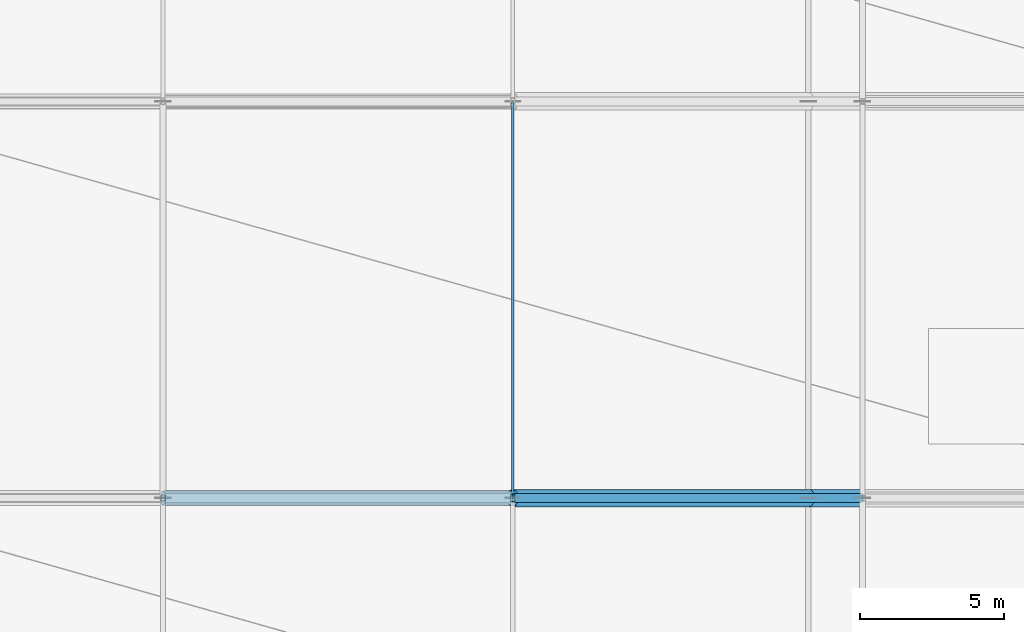
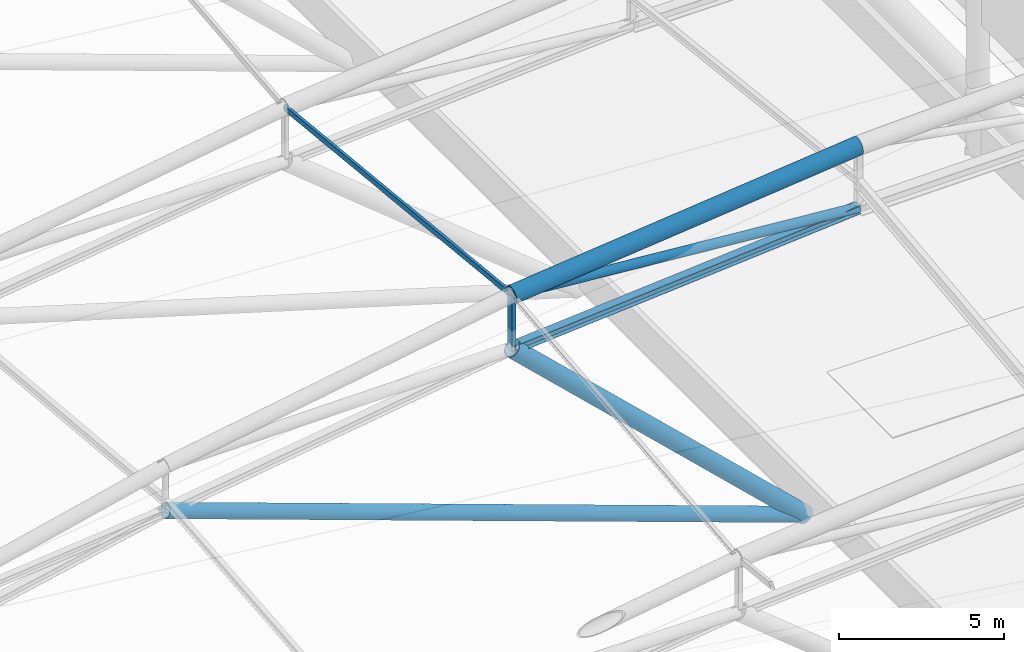
# One storey, part 42 of 113: 7 members.
"""IFC4 building model written with IfcOpenShell, lengths in metres."""

import ifcopenshell
import ifcopenshell.guid

model = None  # the IFC model being written
_history = None  # IfcOwnerHistory: only IFC2X3 demands one
_inside = {}  # id of a spatial element -> (the spatial element, [elements in it])
_under = {}  # id of a project, library or spatial element -> (it, [spatial elements below it])
_declared = {}  # id of a project -> (the project, [libraries it declares])
_typed = {}  # id of a type object -> (the type object, [elements of that type])
_made_of = {}  # id of a material, layer set ... -> (it, [elements and type objects made of it])


def new_model(schema):
    """Start an empty IFC model of exactly this schema.

    Asked for "IFC4X3", IfcOpenShell would pick the latest addendum, in which some entities
    have other attributes; the version numbers below select the first issue.
    IFC2X3 requires an IfcOwnerHistory on every rooted entity: one is made here for all.
    """
    global model, _history
    if schema == "IFC4X3":
        model = ifcopenshell.file(schema_version=(4, 3, 0, 0))
    else:
        model = ifcopenshell.file(schema=schema)
    _inside.clear()
    _under.clear()
    _declared.clear()
    _typed.clear()
    _made_of.clear()
    _history = None
    if model.schema == "IFC2X3":
        org = make("IfcOrganization", Name="unknown")
        user = make(
            "IfcPersonAndOrganization",
            ThePerson=make("IfcPerson", FamilyName="unknown"),
            TheOrganization=org,
        )
        app = make(
            "IfcApplication",
            ApplicationDeveloper=org,
            Version="unknown",
            ApplicationFullName="unknown",
            ApplicationIdentifier="unknown",
        )
        _history = make(
            "IfcOwnerHistory",
            OwningUser=user,
            OwningApplication=app,
            ChangeAction="ADDED",
            CreationDate=0,
        )
    return model


def make(cls, **values):
    """One entity of the class cls with the attributes given. An attribute that is None is left unset."""
    return model.create_entity(
        cls, **{name: value for name, value in values.items() if value is not None}
    )


def rooted(cls, **values):
    """An entity with a GlobalId (a new one), such as an element, a storey or a relation."""
    return make(cls, GlobalId=ifcopenshell.guid.new(), OwnerHistory=_history, **values)


def si_unit(unit_type, name, prefix=None):
    """IfcSIUnit, for example si_unit("LENGTHUNIT", "METRE", prefix="MILLI")."""
    return make("IfcSIUnit", UnitType=unit_type, Prefix=prefix, Name=name)


def assignment(units):
    """IfcUnitAssignment: the units of a project."""
    return None if units is None else make("IfcUnitAssignment", Units=units)


def point(xyz):
    """IfcCartesianPoint."""
    return None if xyz is None else make("IfcCartesianPoint", Coordinates=xyz)


def direction(xyz):
    """IfcDirection."""
    return None if xyz is None else make("IfcDirection", DirectionRatios=xyz)


def frame(location, z_axis=None, x_axis=None):
    """IfcAxis2Placement3D, a coordinate frame: its origin and axes. An axis left out is left unset."""
    return make(
        "IfcAxis2Placement3D",
        Location=point(location),
        Axis=direction(z_axis),
        RefDirection=direction(x_axis),
    )


def frame_2d(location, x_axis=None):
    """IfcAxis2Placement2D, a coordinate frame in the plane: its origin and x axis."""
    return make(
        "IfcAxis2Placement2D", Location=point(location), RefDirection=direction(x_axis)
    )


def origin():
    """The frame at (0, 0, 0) with its axes left unset."""
    return frame((0.0, 0.0, 0.0))


def origin_2d():
    """The frame at (0, 0) in the plane with its x axis left unset."""
    return frame_2d((0.0, 0.0))


def place(relative_to, where):
    """IfcLocalPlacement: puts the frame where relative to a parent placement (None: the world)."""
    return make(
        "IfcLocalPlacement", PlacementRelTo=relative_to, RelativePlacement=where
    )


def context(
    kind, dimensions, precision=None, world=None, true_north=None, identifier=None
):
    """IfcGeometricRepresentationContext, for example the 3D "Model" context."""
    return make(
        "IfcGeometricRepresentationContext",
        ContextIdentifier=identifier,
        ContextType=kind,
        CoordinateSpaceDimension=dimensions,
        Precision=precision,
        WorldCoordinateSystem=world,
        TrueNorth=true_north,
    )


def subcontext(parent, identifier, kind, view, scale=None):
    """IfcGeometricRepresentationSubContext, for example "Body" below "Model"."""
    return make(
        "IfcGeometricRepresentationSubContext",
        ContextIdentifier=identifier,
        ContextType=kind,
        ParentContext=parent,
        TargetScale=scale,
        TargetView=view,
    )


def project(units=None, contexts=None):
    """IfcProject with its units and contexts."""
    return rooted(
        "IfcProject",
        Name="project",
        RepresentationContexts=contexts,
        UnitsInContext=assignment(units),
    )


def spatial(cls, under=None, at=None, **own):
    """A site, building, storey or space (cls), placed at a placement, below another one or the project."""
    s = rooted(cls, ObjectPlacement=at, **own)
    if under is not None:
        _under.setdefault(under.id(), (under, []))[1].append(s)
    return s


def profile(cls, at=None, kind="AREA", **sizes):
    """A parametric profile (cls). Its sizes go by their IFC names, for example OverallWidth=200.0."""
    return make(cls, ProfileType=kind, Position=at, **sizes)


def hollow_rectangle(**sizes):
    """IfcRectangleHollowProfileDef."""
    return profile("IfcRectangleHollowProfileDef", **sizes)


def hollow_circle(**sizes):
    """IfcCircleHollowProfileDef."""
    return profile("IfcCircleHollowProfileDef", **sizes)


def i_section(**sizes):
    """IfcIShapeProfileDef."""
    return profile("IfcIShapeProfileDef", **sizes)


def extrude(swept, where, along, depth):
    """IfcExtrudedAreaSolid: the profile swept, set in the frame where, extruded along a direction by depth."""
    return make(
        "IfcExtrudedAreaSolid",
        SweptArea=swept,
        Position=where,
        ExtrudedDirection=direction(along),
        Depth=depth,
    )


def shape(context_of_items, identifier, shape_type, items):
    """IfcShapeRepresentation: the items that make up one representation, for example the "Body"."""
    return make(
        "IfcShapeRepresentation",
        ContextOfItems=context_of_items,
        RepresentationIdentifier=identifier,
        RepresentationType=shape_type,
        Items=items,
    )


def material(Name=None, Category=None):
    """IfcMaterial."""
    return make("IfcMaterial", Name=Name, Category=Category)


def material_profile(
    of_material, cross_section, Name=None, Category=None, Priority=None
):
    """IfcMaterialProfile: a cross section and its material."""
    return make(
        "IfcMaterialProfile",
        Name=Name,
        Material=of_material,
        Profile=cross_section,
        Priority=Priority,
        Category=Category,
    )


def profile_set(profiles, Name=None, composite=None):
    """IfcMaterialProfileSet."""
    return make(
        "IfcMaterialProfileSet",
        Name=Name,
        MaterialProfiles=profiles,
        CompositeProfile=composite,
    )


def made_of(thing, what):
    """Note that an element or type object is made of a material, layer set ...; save() writes the relation."""
    if what is not None:
        _made_of.setdefault(what.id(), (what, []))[1].append(thing)
    return thing


def type_object(cls, material=None, **own):
    """A type object (cls), such as IfcWallType, which elements share."""
    return made_of(rooted(cls, **own), material)


def element(
    cls,
    number,
    at=None,
    inside=None,
    cuts=None,
    type_object=None,
    material=None,
    context=None,
    identifier="Body",
    shape_type=None,
    held_by="IfcProductDefinitionShape",
    body=None,
    shapes=None,
    **own,
):
    """One element of the class cls, such as IfcWall. Its Tag is "e" and its number.

    at: its placement. inside: the storey or other place that contains it. cuts: it is an
    opening in that element (IfcRelVoidsElement). A single representation is given by context,
    identifier, shape_type and body (its items); several are given by shapes. held_by: the class
    of the entity that holds the representations. save() writes the other relations.
    """
    e = rooted(cls, Tag="e%d" % number, ObjectPlacement=at, **own)
    if body is not None:
        shapes = [shape(context, identifier, shape_type, body)]
    if shapes is not None:
        e.Representation = make(held_by, Representations=shapes)
    if inside is not None:
        _inside.setdefault(inside.id(), (inside, []))[1].append(e)
    if cuts is not None:
        rooted(
            "IfcRelVoidsElement", RelatingBuildingElement=cuts, RelatedOpeningElement=e
        )
    if type_object is not None:
        _typed.setdefault(type_object.id(), (type_object, []))[1].append(e)
    return made_of(e, material)


def aggregate(whole, parts):
    """IfcRelAggregates: a whole, such as a stair, and the parts it consists of."""
    return rooted("IfcRelAggregates", RelatingObject=whole, RelatedObjects=parts)


def save(model, path):
    """Write the relations noted so far, then the file.

    IfcRelAggregates (storeys below a building ...), IfcRelContainedInSpatialStructure (elements
    in a storey), IfcRelDefinesByType, IfcRelAssociatesMaterial and IfcRelDeclares: one each for
    every whole, place, type object, material and project.
    """
    for whole, parts in _under.values():
        aggregate(whole, parts)
    for where, things in _inside.values():
        rooted(
            "IfcRelContainedInSpatialStructure",
            RelatedElements=things,
            RelatingStructure=where,
        )
    for kind, things in _typed.values():
        rooted("IfcRelDefinesByType", RelatedObjects=things, RelatingType=kind)
    for what, things in _made_of.values():
        rooted("IfcRelAssociatesMaterial", RelatedObjects=things, RelatingMaterial=what)
    for by, libraries in _declared.values():
        rooted("IfcRelDeclares", RelatingContext=by, RelatedDefinitions=libraries)
    model.write(path)


model = new_model("IFC4")

# Units and contexts
model_context = context("Model", 3, precision=1e-05, world=origin(), true_north=direction((0.0, 1.0)))
body_context = subcontext(model_context, "Body", "Model", "MODEL_VIEW")
ifc_project = project(units=[si_unit("LENGTHUNIT", "METRE"), si_unit("AREAUNIT", "SQUARE_METRE"), si_unit("VOLUMEUNIT", "CUBIC_METRE"), si_unit("PLANEANGLEUNIT", "RADIAN"), si_unit("MASSUNIT", "GRAM", prefix="KILO")], contexts=[model_context])

# Site, building, storey
site_placement = place(None, origin())
site = spatial("IfcSite", under=ifc_project, at=site_placement, CompositionType="ELEMENT")
building_placement = place(site_placement, origin())
building = spatial("IfcBuilding", under=site, at=building_placement, Name="Linyun Crest Stadium", CompositionType="ELEMENT")
storey_placement = place(building_placement, frame((0.0, 0.0, 26.39990234375)))
storey = spatial("IfcBuildingStorey", under=building, at=storey_placement, Name="L06", CompositionType="ELEMENT", Elevation=26.39990234375)

# Members
ifc_material_1 = material(Name="Steel Q355C", Category="steel")
ifc_material_profile_1 = material_profile(ifc_material_1, hollow_rectangle(XDim=0.10009765625, YDim=0.199951171875, WallThickness=0.008056640625, at=origin_2d()), Name="RHS 200x100x8")
ifc_profile_set_1 = profile_set([ifc_material_profile_1], Name="Steel Q355C")
member_type_1 = type_object("IfcMemberType", Name="AR02", PredefinedType="USERDEFINED", material=ifc_profile_set_1)
member_1_placement = place(storey_placement, frame((59.75, 2.125, 11.502197265625), z_axis=(0.0, 0.994834033314, -0.101514758336), x_axis=(-1.0, 0.0, 0.0)))
element("IfcMember", 1, at=member_1_placement, inside=storey, type_object=member_type_1, Name="Art Nouveau canopy arch rib AR02 V2 352", ObjectType="ARCH RIB", PredefinedType="USERDEFINED", context=body_context, shape_type="SweptSolid", body=[
    extrude(hollow_rectangle(XDim=0.10009765625, YDim=0.199951171875, WallThickness=0.008056640625, at=origin_2d()), origin(), (0.0, 0.0, 1.0), 13.8212890625),
])
ifc_material_2 = material(Name="Steel Q420C", Category="steel")
ifc_material_profile_2 = material_profile(ifc_material_2, hollow_circle(Radius=0.25390625, WallThickness=0.02490234375, at=origin_2d()), Name="CHS 508x25")
ifc_profile_set_2 = profile_set([ifc_material_profile_2], Name="Steel Q420C")
member_type_2 = type_object("IfcMemberType", Name="TC01", PredefinedType="CHORD", material=ifc_profile_set_2)
member_2_placement = place(storey_placement, frame((70.0, 2.125, -0.21484375), z_axis=(-0.941915713226, 0.0, 0.335849354888), x_axis=(0.0, -1.0, 0.0)))
element("IfcMember", 2, at=member_2_placement, inside=storey, type_object=member_type_2, Name="Roof arch forward V-strut TC01 V2 275", PredefinedType="CHORD", context=body_context, shape_type="SweptSolid", body=[
    extrude(hollow_circle(Radius=0.25390625, WallThickness=0.02490234375, at=origin_2d()), origin(), (0.0, 0.0, 1.0), 23.7548828125),
])
ifc_material_3 = material(Name="Steel Q420C", Category="steel")
ifc_material_profile_3 = material_profile(ifc_material_3, hollow_circle(Radius=0.304931640625, WallThickness=0.030029296875, at=origin_2d()), Name="CHS 610x30")
ifc_profile_set_3 = profile_set([ifc_material_profile_3], Name="Steel Q420C")
member_type_3 = type_object("IfcMemberType", Name="TC02", PredefinedType="CHORD", material=ifc_profile_set_3)
member_3_placement = place(storey_placement, frame((71.875, 2.125, 12.776123046875), z_axis=(-0.99452584315, 0.0, -0.104490895811), x_axis=(0.0, -1.0, 0.0)))
element("IfcMember", 3, at=member_3_placement, inside=storey, type_object=member_type_3, Name="Roof truss top chord TC02 V2 262", PredefinedType="CHORD", context=body_context, shape_type="SweptSolid", body=[
    extrude(hollow_circle(Radius=0.304931640625, WallThickness=0.030029296875, at=origin_2d()), origin(), (0.0, 0.0, 1.0), 12.191650390625),
])
member_4_placement = place(storey_placement, frame((70.0, 2.125, -0.21484375), z_axis=(-0.724876997796, 0.0, 0.688878318766), x_axis=(0.0, -1.0, 0.0)))
element("IfcMember", 4, at=member_4_placement, inside=storey, type_object=member_type_3, Name="Roof arch inclined support strut TC02 V2 274", PredefinedType="CHORD", context=body_context, shape_type="SweptSolid", body=[
    extrude(hollow_circle(Radius=0.304931640625, WallThickness=0.030029296875, at=origin_2d()), origin(), (0.0, 0.0, 1.0), 14.140380859375),
])
ifc_material_4 = material(Name="Steel Q355C", Category="steel")
ifc_material_profile_4 = material_profile(ifc_material_4, i_section(OverallWidth=0.300048828125, OverallDepth=0.300048828125, WebThickness=0.010009765625, FlangeThickness=0.014892578125, at=origin_2d()), Name="HW 300x300")
ifc_profile_set_4 = profile_set([ifc_material_profile_4], Name="Steel Q355C")
member_type_4 = type_object("IfcMemberType", Name="TC03", PredefinedType="CHORD", material=ifc_profile_set_4)
member_5_placement = place(storey_placement, frame((71.875, 2.125, 10.488037109375), z_axis=(-0.996867904873, 0.0, -0.079084639683), x_axis=(0.0, -1.0, 0.0)))
element("IfcMember", 5, at=member_5_placement, inside=storey, type_object=member_type_4, Name="Roof truss bottom chord TC03 V2 263", PredefinedType="CHORD", context=body_context, shape_type="SweptSolid", body=[
    extrude(i_section(OverallWidth=0.300048828125, OverallDepth=0.300048828125, WebThickness=0.010009765625, FlangeThickness=0.014892578125, at=origin_2d()), origin(), (0.0, 0.0, 1.0), 12.1630859375),
])
ifc_material_5 = material(Name="Steel Q355C", Category="steel")
ifc_material_profile_5 = material_profile(ifc_material_5, hollow_circle(Radius=0.16259765625, WallThickness=0.01611328125, at=origin_2d()), Name="CHS 325x16")
ifc_profile_set_5 = profile_set([ifc_material_profile_5], Name="Steel Q355C")
member_type_5 = type_object("IfcMemberType", Name="TD02", PredefinedType="BRACE", material=ifc_profile_set_5)
member_6_placement = place(storey_placement, frame((71.875, 2.125, 10.488037109375), z_axis=(-0.996520249302, 0.0, 0.083351021174), x_axis=(0.0, -1.0, 0.0)))
element("IfcMember", 6, at=member_6_placement, inside=storey, type_object=member_type_5, Name="Roof truss diagonal TD02 V2 264", PredefinedType="BRACE", context=body_context, shape_type="SweptSolid", body=[
    extrude(hollow_circle(Radius=0.16259765625, WallThickness=0.01611328125, at=origin_2d()), origin(), (0.0, 0.0, 1.0), 12.167236328125),
])
ifc_material_6 = material(Name="Steel Q355C", Category="steel")
ifc_material_profile_6 = material_profile(ifc_material_6, hollow_rectangle(XDim=0.14990234375, YDim=0.25, WallThickness=0.010009765625, at=origin_2d()), Name="RHS 250x150x10")
ifc_profile_set_6 = profile_set([ifc_material_profile_6], Name="Steel Q355C")
member_type_6 = type_object("IfcMemberType", Name="TV03", PredefinedType="STRUT", material=ifc_profile_set_6)
member_7_placement = place(storey_placement, frame((59.75, 2.125, 9.526123046875), z_axis=(0.0, 0.0, 1.0), x_axis=(1.0, 0.0, 0.0)))
element("IfcMember", 7, at=member_7_placement, inside=storey, type_object=member_type_6, Name="Roof vertical strut TV03 V2 269", PredefinedType="STRUT", context=body_context, shape_type="SweptSolid", body=[
    extrude(hollow_rectangle(XDim=0.14990234375, YDim=0.25, WallThickness=0.010009765625, at=origin_2d()), origin(), (0.0, 0.0, 1.0), 1.97607421875),
])

save(model, "model.ifc")
